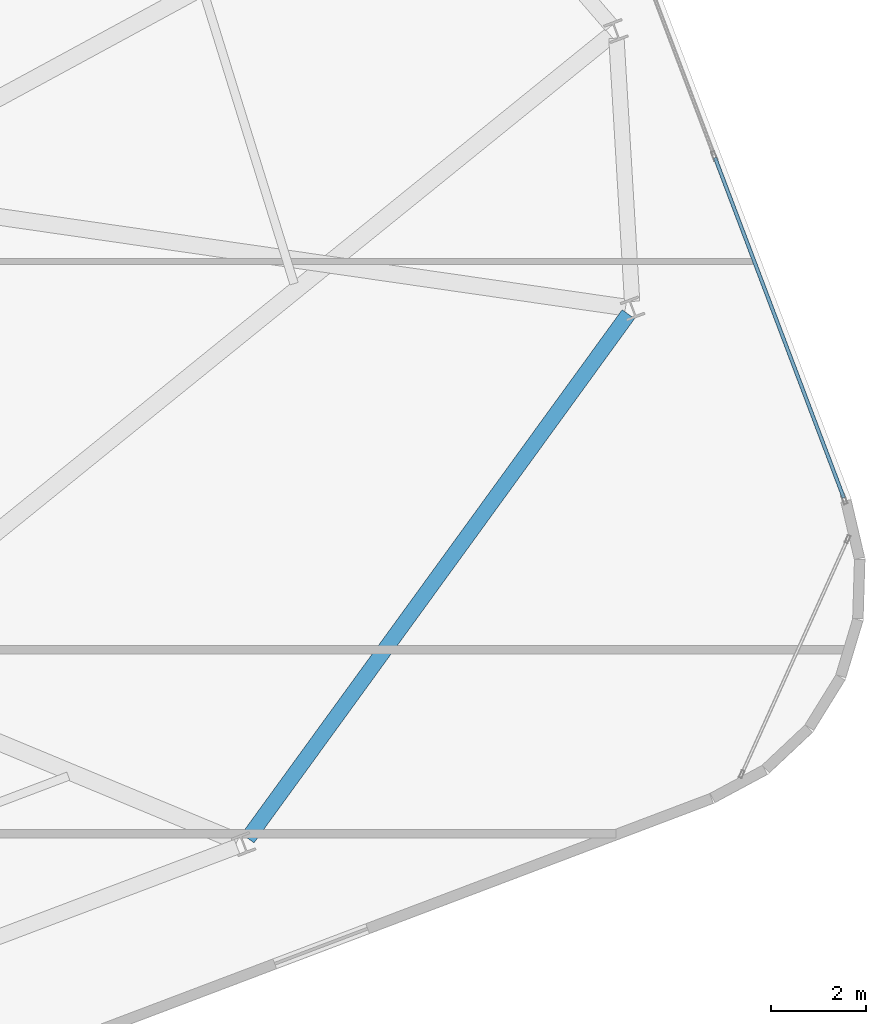
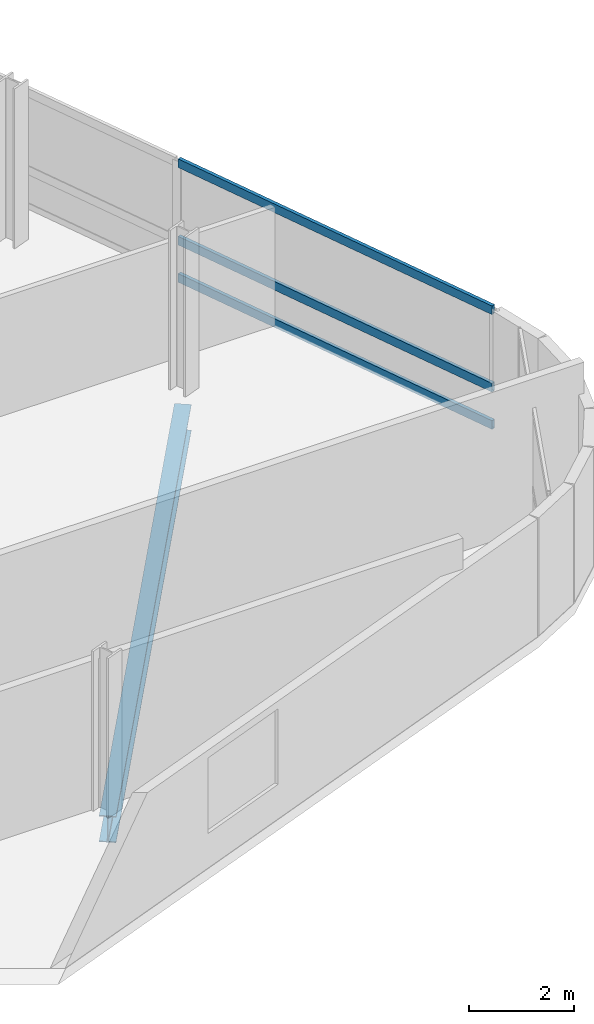
# One storey, part 14 of 23: 3 members, 1 beam, 1 element without a shape of its own.
"""IFC4 building model written with IfcOpenShell, lengths in metres."""

from ifc_helpers import new_model, si_unit, direction, frame, origin, origin_2d, place, context, subcontext, project, spatial, hollow_rectangle, i_section, extrude, material, layer, layer_set, material_profile, profile_set, type_object, element, aggregate, save


model = new_model("IFC4")

# Units and contexts
model_context = context("Model", 3, precision=1e-05, world=origin(), true_north=direction((0.0, 1.0)))
body_context = subcontext(model_context, "Body", "Model", "MODEL_VIEW")
ifc_project = project(units=[si_unit("LENGTHUNIT", "METRE"), si_unit("AREAUNIT", "SQUARE_METRE"), si_unit("VOLUMEUNIT", "CUBIC_METRE"), si_unit("PLANEANGLEUNIT", "RADIAN"), si_unit("MASSUNIT", "GRAM", prefix="KILO")], contexts=[model_context])

# Site, building, storey
site_placement = place(None, origin())
site = spatial("IfcSite", under=ifc_project, at=site_placement, CompositionType="ELEMENT")
building_placement = place(site_placement, origin())
building = spatial("IfcBuilding", under=site, at=building_placement, Name="Varnelok Gate Tower", CompositionType="ELEMENT")
storey_placement = place(building_placement, frame((0.0, 0.0, 227.5)))
storey = spatial("IfcBuildingStorey", under=building, at=storey_placement, Name="L58", CompositionType="ELEMENT", Elevation=227.5)

# Beam
ifc_material_1 = material(Name="Structural Steel ASTM A992 Grade 50", Category="steel")
ifc_material_profile_1 = material_profile(ifc_material_1, i_section(OverallWidth=0.323974609375, OverallDepth=0.611083984375, WebThickness=0.0126953125, FlangeThickness=0.01904296875, FilletRadius=0.01806640625, at=origin_2d()), Name="W24X104")
ifc_profile_set_1 = profile_set([ifc_material_profile_1], Name="Structural Steel ASTM A992 Grade 50")
beam_type = type_object("IfcBeamType", Name="BM-SPN-W24X104", PredefinedType="SPANDREL", material=ifc_profile_set_1)
beam_placement = place(storey_placement, frame((62.92041015625, 15.249755859375, -0.555419921875), z_axis=(0.58754084914, 0.809194507267, 0.0), x_axis=(-0.809194507267, 0.58754084914, 0.0)))
element("IfcBeam", 1, at=beam_placement, inside=storey, type_object=beam_type, Name="L58 Perimeter Spandrel Beam 5", PredefinedType="SPANDREL", context=body_context, shape_type="SweptSolid", body=[
    extrude(i_section(OverallWidth=0.323974609375, OverallDepth=0.611083984375, WebThickness=0.0126953125, FlangeThickness=0.01904296875, FilletRadius=0.01806640625, at=origin_2d()), origin(), (0.0, 0.0, 1.0), 13.695556640625),
])

# Curtain wall, members
ifc_material_2 = material(Name="Anodized Aluminum Alloy 6063-T6", Category="aluminium")
ifc_layer = layer(ifc_material_2, 0.179931640625)
ifc_layer_set = layer_set([ifc_layer], Name="Anodized Aluminum Alloy 6063-T6")
curtain_wall_type = type_object("IfcCurtainWallType", Name="CW4-RESIDENCE-VISION", PredefinedType="USERDEFINED", material=ifc_layer_set)
curtain_wall_placement = place(storey_placement, origin())
curtain_wall = element("IfcCurtainWall", 2, at=curtain_wall_placement, inside=storey, type_object=curtain_wall_type, Name="L58 East End Vision Curtain Wall", ObjectType="UNITISED CURTAIN WALL", PredefinedType="USERDEFINED")
ifc_material_profile_2 = material_profile(ifc_material_2, hollow_rectangle(XDim=0.074951171875, YDim=0.199951171875, WallThickness=0.00390625, at=origin_2d()), Name="ALU200X75X4")
ifc_profile_set_2 = profile_set([ifc_material_profile_2], Name="Anodized Aluminum Alloy 6063-T6")
member_type = type_object("IfcMemberType", Name="CW-TRAN-200", PredefinedType="USERDEFINED", material=ifc_profile_set_2)
member_1_placement = place(storey_placement, frame((72.7998046875, 29.64013671875, 0.03759765625), z_axis=(0.354062525952, -0.935221753231, 0.0), x_axis=(0.935221753231, 0.354062525952, 0.0)))
member_1 = element("IfcMember", 3, at=member_1_placement, type_object=member_type, Name="CW4 transom 4.1", ObjectType="TRANSOM", PredefinedType="USERDEFINED", context=body_context, shape_type="SweptSolid", body=[
    extrude(hollow_rectangle(XDim=0.074951171875, YDim=0.199951171875, WallThickness=0.00390625, at=origin_2d()), origin(), (0.0, 0.0, 1.0), 7.687744140625),
])
member_2_placement = place(storey_placement, frame((72.7998046875, 29.64013671875, 0.89990234375), z_axis=(0.354062525952, -0.935221753231, 0.0), x_axis=(0.935221753231, 0.354062525952, 0.0)))
member_2 = element("IfcMember", 4, at=member_2_placement, type_object=member_type, Name="CW4 transom 4.2", ObjectType="TRANSOM", PredefinedType="USERDEFINED", context=body_context, shape_type="SweptSolid", body=[
    extrude(hollow_rectangle(XDim=0.074951171875, YDim=0.199951171875, WallThickness=0.00390625, at=origin_2d()), origin(), (0.0, 0.0, 1.0), 7.687744140625),
])
member_3_placement = place(storey_placement, frame((72.7998046875, 29.64013671875, 2.6923828125), z_axis=(0.354062525952, -0.935221753231, 0.0), x_axis=(0.935221753231, 0.354062525952, 0.0)))
member_3 = element("IfcMember", 5, at=member_3_placement, type_object=member_type, Name="CW4 transom 4.3", ObjectType="TRANSOM", PredefinedType="USERDEFINED", context=body_context, shape_type="SweptSolid", body=[
    extrude(hollow_rectangle(XDim=0.074951171875, YDim=0.199951171875, WallThickness=0.00390625, at=origin_2d()), origin(), (0.0, 0.0, 1.0), 7.687744140625),
])
aggregate(curtain_wall, [member_1, member_2, member_3])

save(model, "model.ifc")
